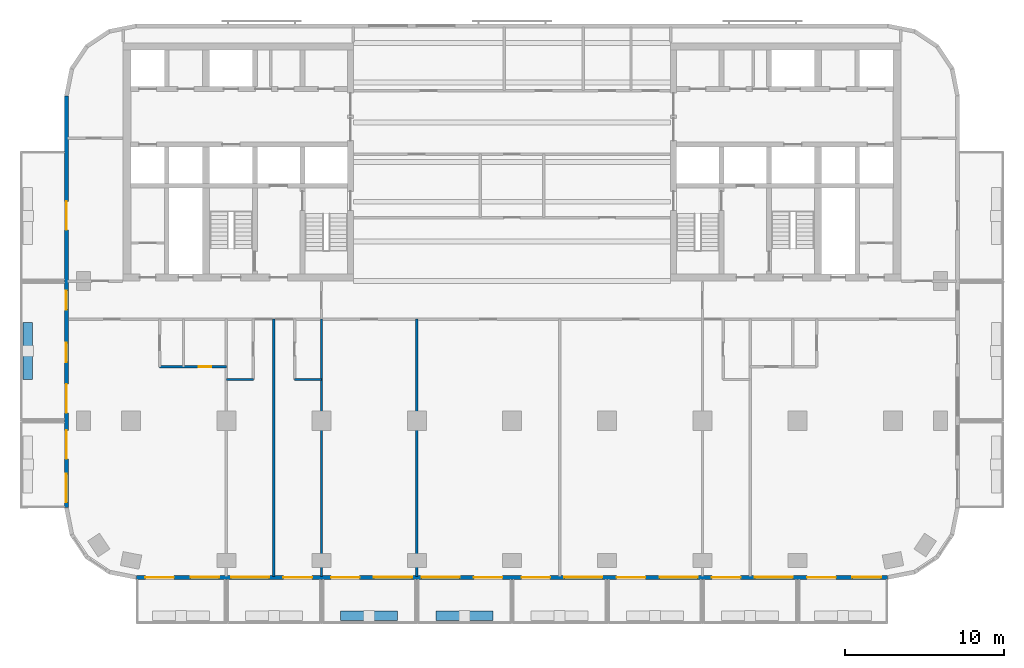
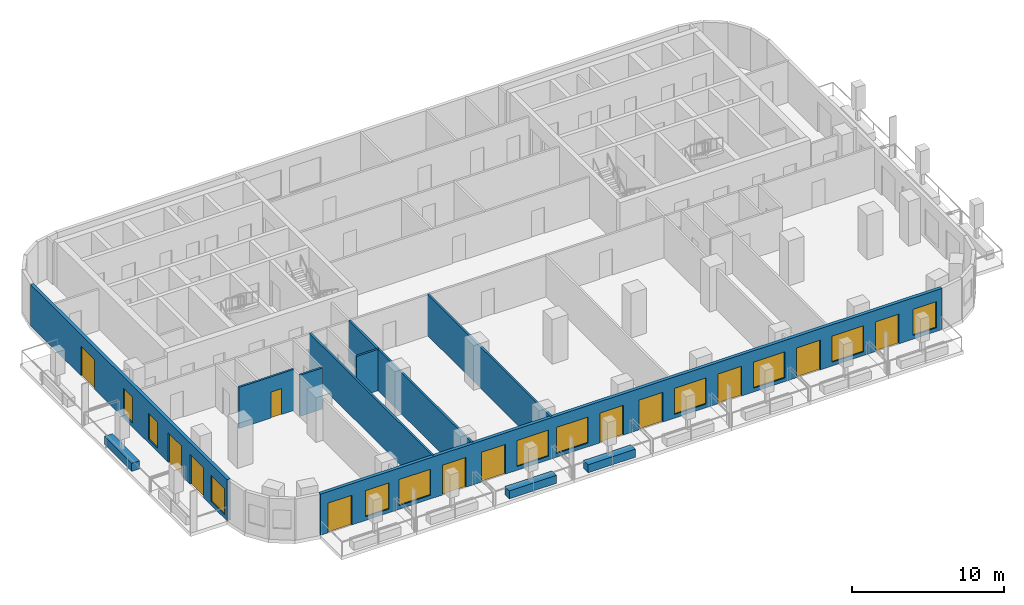
# One storey, part 2 of 11: 12 doors, 11 walls, 11 windows, 23 openings.
"""IFC4 building model written with IfcOpenShell, lengths in metres."""

from ifc_helpers import new_model, si_unit, direction, frame, frame_2d, origin, place, context, subcontext, project, spatial, rectangle, extrude, material, layer, layer_set, type_object, element, fill, save


model = new_model("IFC4")

# Units and contexts
model_context = context("Model", 3, precision=1e-05, world=origin(), true_north=direction((0.0, 1.0)))
body_context = subcontext(model_context, "Body", "Model", "MODEL_VIEW")
ifc_project = project(units=[si_unit("LENGTHUNIT", "METRE"), si_unit("AREAUNIT", "SQUARE_METRE"), si_unit("VOLUMEUNIT", "CUBIC_METRE"), si_unit("PLANEANGLEUNIT", "RADIAN"), si_unit("MASSUNIT", "GRAM", prefix="KILO")], contexts=[model_context])

# Site, building, storey
site_placement = place(None, origin())
site = spatial("IfcSite", under=ifc_project, at=site_placement, CompositionType="ELEMENT")
building_placement = place(site_placement, origin())
building = spatial("IfcBuilding", under=site, at=building_placement, Name="Torana Hotel and Residences", CompositionType="ELEMENT")
storey_placement = place(building_placement, frame((0.0, 0.0, 134.39990234375)))
storey = spatial("IfcBuildingStorey", under=building, at=storey_placement, Name="L34", CompositionType="ELEMENT", Elevation=134.39990234375)

# Wall, openings, doors, windows
ifc_material_1 = material(Name="Black aluminium composite panel", Category="aluminium")
ifc_layer_1 = layer(ifc_material_1, 0.00390625, Name="Cladding", Category="cladding")
ifc_material_2 = material(Name="Ventilated air cavity")
ifc_layer_2 = layer(ifc_material_2, 0.0400390625, Name="Ventilated cavity", Category="cavity")
ifc_material_3 = material(Name="Mineral wool insulation")
ifc_layer_3 = layer(ifc_material_3, 0.090087890625, Name="Insulation", Category="insulation")
ifc_material_4 = material(Name="Steel S280GD", Category="steel")
ifc_layer_4 = layer(ifc_material_4, 0.092041015625, Name="Steel stud frame", Category="structure")
ifc_material_5 = material(Name="Fire rated plasterboard")
ifc_layer_5 = layer(ifc_material_5, 0.011962890625, Name="Inner board", Category="finish")
ifc_layer_6 = layer(ifc_material_5, 0.011962890625, Name="Second board", Category="finish")
ifc_layer_set_1 = layer_set([ifc_layer_1, ifc_layer_2, ifc_layer_3, ifc_layer_4, ifc_layer_5, ifc_layer_6], Name="EW1 EXTERNAL WALL BLACK METAL CLAD 250")
wall_type_1 = type_object("IfcWallType", Name="EW1 EXTERNAL WALL BLACK METAL CLAD 250", PredefinedType="SOLIDWALL", material=ifc_layer_set_1)
wall_1_placement = place(storey_placement, frame((-28.074951171875, -3.32470703125, 0.0), z_axis=(0.0, 0.0, 1.0), x_axis=(0.0, -1.0, 0.0)))
wall_1 = element("IfcWall", 1, at=wall_1_placement, inside=storey, type_object=wall_type_1, Name="External wall L34 e0.9", PredefinedType="SOLIDWALL", context=body_context, shape_type="SweptSolid", body=[
    extrude(rectangle(XDim=25.95068359375, YDim=0.25, at=frame_2d((12.975341796875, 0.0))), origin(), (0.0, 0.0, 1.0), 3.320068359375),
])
opening_1_placement = place(wall_1_placement, frame((6.650390625, 0.0, 0.0)))
opening_1 = element("IfcOpeningElement", 2, at=opening_1_placement, cuts=wall_1, Name="Opening L34-E12", PredefinedType="OPENING", context=body_context, shape_type="SweptSolid", body=[
    extrude(rectangle(XDim=1.800048828125, YDim=2.39990234375, at=frame_2d((0.89990234375, 1.199951171875))), frame((0.0, 0.135009765625, 0.0), z_axis=(0.0, -1.0, 0.0), x_axis=(1.0, 0.0, 0.0)), (0.0, 0.0, 1.0), 0.27001953125),
])
opening_2_placement = place(wall_1_placement, frame((12.275390625, 0.0, 0.300048828125)))
opening_2 = element("IfcOpeningElement", 3, at=opening_2_placement, cuts=wall_1, Name="Opening W7", PredefinedType="OPENING", context=body_context, shape_type="SweptSolid", body=[
    extrude(rectangle(XDim=1.199951171875, YDim=2.10009765625, at=frame_2d((0.60009765625, 1.050048828125))), frame((0.0, 0.135009765625, 0.0), z_axis=(0.0, -1.0, 0.0), x_axis=(1.0, 0.0, 0.0)), (0.0, 0.0, 1.0), 0.27001953125),
])
opening_3_placement = place(wall_1_placement, frame((15.575439453125, 0.0, 0.300048828125)))
opening_3 = element("IfcOpeningElement", 4, at=opening_3_placement, cuts=wall_1, Name="Opening W7", PredefinedType="OPENING", context=body_context, shape_type="SweptSolid", body=[
    extrude(rectangle(XDim=1.199951171875, YDim=2.10009765625, at=frame_2d((0.60009765625, 1.050048828125))), frame((0.0, 0.135009765625, 0.0), z_axis=(0.0, -1.0, 0.0), x_axis=(1.0, 0.0, 0.0)), (0.0, 0.0, 1.0), 0.27001953125),
])
opening_4_placement = place(wall_1_placement, frame((18.17529296875, 0.0, 0.0)))
opening_4 = element("IfcOpeningElement", 5, at=opening_4_placement, cuts=wall_1, Name="Opening L34-E13", PredefinedType="OPENING", context=body_context, shape_type="SweptSolid", body=[
    extrude(rectangle(XDim=1.800048828125, YDim=2.39990234375, at=frame_2d((0.89990234375, 1.199951171875))), frame((0.0, 0.135009765625, 0.0), z_axis=(0.0, -1.0, 0.0), x_axis=(1.0, 0.0, 0.0)), (0.0, 0.0, 1.0), 0.27001953125),
])
opening_5_placement = place(wall_1_placement, frame((21.075439453125, 0.0, 0.0)))
opening_5 = element("IfcOpeningElement", 6, at=opening_5_placement, cuts=wall_1, Name="Opening L34-E14", PredefinedType="OPENING", context=body_context, shape_type="SweptSolid", body=[
    extrude(rectangle(XDim=1.800048828125, YDim=2.39990234375, at=frame_2d((0.89990234375, 1.199951171875))), frame((0.0, 0.135009765625, 0.0), z_axis=(0.0, -1.0, 0.0), x_axis=(1.0, 0.0, 0.0)), (0.0, 0.0, 1.0), 0.27001953125),
])
opening_6_placement = place(wall_1_placement, frame((23.825439453125, 0.0, 0.300048828125)))
opening_6 = element("IfcOpeningElement", 7, at=opening_6_placement, cuts=wall_1, Name="Opening W2", PredefinedType="OPENING", context=body_context, shape_type="SweptSolid", body=[
    extrude(rectangle(XDim=1.800048828125, YDim=2.10009765625, at=frame_2d((0.89990234375, 1.050048828125))), frame((0.0, 0.135009765625, 0.0), z_axis=(0.0, -1.0, 0.0), x_axis=(1.0, 0.0, 0.0)), (0.0, 0.0, 1.0), 0.27001953125),
])
ifc_material_6 = material(Name="Dark glass in black aluminium frame", Category="aluminium")
door_type_1 = type_object("IfcDoorType", Name="DB1 BALCONY DOOR 1800x2400", OperationType="DOUBLE_DOOR_SINGLE_SWING", PredefinedType="DOOR", material=ifc_material_6)
door_1_placement = place(opening_1_placement, origin())
door_1 = element("IfcDoor", 8, at=door_1_placement, inside=storey, type_object=door_type_1, Name="Balcony door L34", OperationType="DOUBLE_DOOR_SINGLE_SWING", OverallHeight=2.39990234375, OverallWidth=1.800048828125, PredefinedType="DOOR", context=body_context, shape_type="SweptSolid", body=[
    extrude(rectangle(XDim=1.800048828125, YDim=2.39990234375, at=frame_2d((0.89990234375, 1.199951171875))), frame((0.0, 0.02490234375, 0.0), z_axis=(0.0, -1.0, 0.0), x_axis=(1.0, 0.0, 0.0)), (0.0, 0.0, 1.0), 0.050048828125),
])
fill(opening_1, door_1)
door_2_placement = place(opening_4_placement, frame((0.89990234375, 0.0, 0.0), z_axis=(0.0, 0.0, 1.0), x_axis=(-1.0, 0.0, 0.0)))
door_2 = element("IfcDoor", 9, at=door_2_placement, inside=storey, type_object=door_type_1, Name="Balcony door L34", OperationType="DOUBLE_DOOR_SINGLE_SWING", OverallHeight=2.39990234375, OverallWidth=1.800048828125, PredefinedType="DOOR", context=body_context, shape_type="SweptSolid", body=[
    extrude(rectangle(XDim=1.800048828125, YDim=2.39990234375, at=frame_2d((0.0, 1.199951171875))), frame((0.0, -0.02490234375, 0.0), z_axis=(0.0, 1.0, 0.0), x_axis=(-1.0, 0.0, 0.0)), (0.0, 0.0, 1.0), 0.050048828125),
])
fill(opening_4, door_2)
door_3_placement = place(opening_5_placement, origin())
door_3 = element("IfcDoor", 10, at=door_3_placement, inside=storey, type_object=door_type_1, Name="Balcony door L34", OperationType="DOUBLE_DOOR_SINGLE_SWING", OverallHeight=2.39990234375, OverallWidth=1.800048828125, PredefinedType="DOOR", context=body_context, shape_type="SweptSolid", body=[
    extrude(rectangle(XDim=1.800048828125, YDim=2.39990234375, at=frame_2d((0.89990234375, 1.199951171875))), frame((0.0, 0.02490234375, 0.0), z_axis=(0.0, -1.0, 0.0), x_axis=(1.0, 0.0, 0.0)), (0.0, 0.0, 1.0), 0.050048828125),
])
fill(opening_5, door_3)
ifc_material_7 = material(Name="Dark glass in black aluminium frame", Category="aluminium")
window_type_1 = type_object("IfcWindowType", Name="W2 HOTEL ROOM WINDOW NARROW 1800x2100", PartitioningType="SINGLE_PANEL", PredefinedType="WINDOW", material=ifc_material_7)
window_1_placement = place(opening_6_placement, origin())
window_1 = element("IfcWindow", 11, at=window_1_placement, inside=storey, type_object=window_type_1, Name="Window L34", OverallHeight=2.10009765625, OverallWidth=1.800048828125, PartitioningType="SINGLE_PANEL", PredefinedType="WINDOW", context=body_context, shape_type="SweptSolid", body=[
    extrude(rectangle(XDim=1.800048828125, YDim=2.10009765625, at=frame_2d((0.89990234375, 1.050048828125))), frame((0.0, 0.030029296875, 0.0), z_axis=(0.0, -1.0, 0.0), x_axis=(1.0, 0.0, 0.0)), (0.0, 0.0, 1.0), 0.06005859375),
])
fill(opening_6, window_1)
ifc_material_8 = material(Name="Dark glass in black aluminium frame", Category="aluminium")
window_type_2 = type_object("IfcWindowType", Name="W7 HOTEL CORRIDOR WINDOW 1200x2100", PartitioningType="SINGLE_PANEL", PredefinedType="WINDOW", material=ifc_material_8)
window_2_placement = place(opening_2_placement, origin())
window_2 = element("IfcWindow", 12, at=window_2_placement, inside=storey, type_object=window_type_2, Name="Window L34", OverallHeight=2.10009765625, OverallWidth=1.199951171875, PartitioningType="SINGLE_PANEL", PredefinedType="WINDOW", context=body_context, shape_type="SweptSolid", body=[
    extrude(rectangle(XDim=1.199951171875, YDim=2.10009765625, at=frame_2d((0.60009765625, 1.050048828125))), frame((0.0, 0.030029296875, 0.0), z_axis=(0.0, -1.0, 0.0), x_axis=(1.0, 0.0, 0.0)), (0.0, 0.0, 1.0), 0.06005859375),
])
fill(opening_2, window_2)
window_3_placement = place(opening_3_placement, origin())
window_3 = element("IfcWindow", 13, at=window_3_placement, inside=storey, type_object=window_type_2, Name="Window L34", OverallHeight=2.10009765625, OverallWidth=1.199951171875, PartitioningType="SINGLE_PANEL", PredefinedType="WINDOW", context=body_context, shape_type="SweptSolid", body=[
    extrude(rectangle(XDim=1.199951171875, YDim=2.10009765625, at=frame_2d((0.60009765625, 1.050048828125))), frame((0.0, 0.030029296875, 0.0), z_axis=(0.0, -1.0, 0.0), x_axis=(1.0, 0.0, 0.0)), (0.0, 0.0, 1.0), 0.06005859375),
])
fill(opening_3, window_3)

wall_2_placement = place(storey_placement, frame((-23.67529296875, -33.675048828125, 0.0), z_axis=(0.0, 0.0, 1.0), x_axis=(1.0, 0.0, 0.0)))
wall_2 = element("IfcWall", 14, at=wall_2_placement, inside=storey, type_object=wall_type_1, Name="External wall L34 e0.14", PredefinedType="SOLIDWALL", context=body_context, shape_type="SweptSolid", body=[
    extrude(rectangle(XDim=47.3505859375, YDim=0.25, at=frame_2d((23.67529296875, 0.0))), origin(), (0.0, 0.0, 1.0), 3.320068359375),
])
opening_7_placement = place(wall_2_placement, frame((0.575439453125, 0.0, 0.0)))
opening_7 = element("IfcOpeningElement", 15, at=opening_7_placement, cuts=wall_2, Name="Opening L34-E01", PredefinedType="OPENING", context=body_context, shape_type="SweptSolid", body=[
    extrude(rectangle(XDim=1.800048828125, YDim=2.39990234375, at=frame_2d((0.89990234375, 1.199951171875))), frame((0.0, 0.135009765625, 0.0), z_axis=(0.0, -1.0, 0.0), x_axis=(1.0, 0.0, 0.0)), (0.0, 0.0, 1.0), 0.27001953125),
])
opening_8_placement = place(wall_2_placement, frame((3.42529296875, 0.0, 0.300048828125)))
opening_8 = element("IfcOpeningElement", 16, at=opening_8_placement, cuts=wall_2, Name="Opening W2", PredefinedType="OPENING", context=body_context, shape_type="SweptSolid", body=[
    extrude(rectangle(XDim=1.800048828125, YDim=2.10009765625, at=frame_2d((0.89990234375, 1.050048828125))), frame((0.0, 0.135009765625, 0.0), z_axis=(0.0, -1.0, 0.0), x_axis=(1.0, 0.0, 0.0)), (0.0, 0.0, 1.0), 0.27001953125),
])
opening_9_placement = place(wall_2_placement, frame((5.975341796875, 0.0, 0.300048828125)))
opening_9 = element("IfcOpeningElement", 17, at=opening_9_placement, cuts=wall_2, Name="Opening W1", PredefinedType="OPENING", context=body_context, shape_type="SweptSolid", body=[
    extrude(rectangle(XDim=2.39990234375, YDim=2.10009765625, at=frame_2d((1.199951171875, 1.050048828125))), frame((0.0, 0.135009765625, 0.0), z_axis=(0.0, -1.0, 0.0), x_axis=(1.0, 0.0, 0.0)), (0.0, 0.0, 1.0), 0.27001953125),
])
opening_10_placement = place(wall_2_placement, frame((9.275390625, 0.0, 0.0)))
opening_10 = element("IfcOpeningElement", 18, at=opening_10_placement, cuts=wall_2, Name="Opening L34-E02", PredefinedType="OPENING", context=body_context, shape_type="SweptSolid", body=[
    extrude(rectangle(XDim=1.800048828125, YDim=2.39990234375, at=frame_2d((0.89990234375, 1.199951171875))), frame((0.0, 0.135009765625, 0.0), z_axis=(0.0, -1.0, 0.0), x_axis=(1.0, 0.0, 0.0)), (0.0, 0.0, 1.0), 0.27001953125),
])
opening_11_placement = place(wall_2_placement, frame((12.275390625, 0.0, 0.0)))
opening_11 = element("IfcOpeningElement", 19, at=opening_11_placement, cuts=wall_2, Name="Opening L34-E03", PredefinedType="OPENING", context=body_context, shape_type="SweptSolid", body=[
    extrude(rectangle(XDim=1.800048828125, YDim=2.39990234375, at=frame_2d((0.89990234375, 1.199951171875))), frame((0.0, 0.135009765625, 0.0), z_axis=(0.0, -1.0, 0.0), x_axis=(1.0, 0.0, 0.0)), (0.0, 0.0, 1.0), 0.27001953125),
])
opening_12_placement = place(wall_2_placement, frame((14.975341796875, 0.0, 0.300048828125)))
opening_12 = element("IfcOpeningElement", 20, at=opening_12_placement, cuts=wall_2, Name="Opening W1", PredefinedType="OPENING", context=body_context, shape_type="SweptSolid", body=[
    extrude(rectangle(XDim=2.39990234375, YDim=2.10009765625, at=frame_2d((1.199951171875, 1.050048828125))), frame((0.0, 0.135009765625, 0.0), z_axis=(0.0, -1.0, 0.0), x_axis=(1.0, 0.0, 0.0)), (0.0, 0.0, 1.0), 0.27001953125),
])
opening_13_placement = place(wall_2_placement, frame((17.975341796875, 0.0, 0.300048828125)))
opening_13 = element("IfcOpeningElement", 21, at=opening_13_placement, cuts=wall_2, Name="Opening W1", PredefinedType="OPENING", context=body_context, shape_type="SweptSolid", body=[
    extrude(rectangle(XDim=2.39990234375, YDim=2.10009765625, at=frame_2d((1.199951171875, 1.050048828125))), frame((0.0, 0.135009765625, 0.0), z_axis=(0.0, -1.0, 0.0), x_axis=(1.0, 0.0, 0.0)), (0.0, 0.0, 1.0), 0.27001953125),
])
opening_14_placement = place(wall_2_placement, frame((21.275390625, 0.0, 0.0)))
opening_14 = element("IfcOpeningElement", 22, at=opening_14_placement, cuts=wall_2, Name="Opening L34-E04", PredefinedType="OPENING", context=body_context, shape_type="SweptSolid", body=[
    extrude(rectangle(XDim=1.800048828125, YDim=2.39990234375, at=frame_2d((0.89990234375, 1.199951171875))), frame((0.0, 0.135009765625, 0.0), z_axis=(0.0, -1.0, 0.0), x_axis=(1.0, 0.0, 0.0)), (0.0, 0.0, 1.0), 0.27001953125),
])
opening_15_placement = place(wall_2_placement, frame((24.275390625, 0.0, 0.0)))
opening_15 = element("IfcOpeningElement", 23, at=opening_15_placement, cuts=wall_2, Name="Opening L34-E05", PredefinedType="OPENING", context=body_context, shape_type="SweptSolid", body=[
    extrude(rectangle(XDim=1.800048828125, YDim=2.39990234375, at=frame_2d((0.89990234375, 1.199951171875))), frame((0.0, 0.135009765625, 0.0), z_axis=(0.0, -1.0, 0.0), x_axis=(1.0, 0.0, 0.0)), (0.0, 0.0, 1.0), 0.27001953125),
])
opening_16_placement = place(wall_2_placement, frame((26.975341796875, 0.0, 0.300048828125)))
opening_16 = element("IfcOpeningElement", 24, at=opening_16_placement, cuts=wall_2, Name="Opening W1", PredefinedType="OPENING", context=body_context, shape_type="SweptSolid", body=[
    extrude(rectangle(XDim=2.39990234375, YDim=2.10009765625, at=frame_2d((1.199951171875, 1.050048828125))), frame((0.0, 0.135009765625, 0.0), z_axis=(0.0, -1.0, 0.0), x_axis=(1.0, 0.0, 0.0)), (0.0, 0.0, 1.0), 0.27001953125),
])
opening_17_placement = place(wall_2_placement, frame((30.275390625, 0.0, 0.0)))
opening_17 = element("IfcOpeningElement", 25, at=opening_17_placement, cuts=wall_2, Name="Opening L34-E06", PredefinedType="OPENING", context=body_context, shape_type="SweptSolid", body=[
    extrude(rectangle(XDim=1.800048828125, YDim=2.39990234375, at=frame_2d((0.89990234375, 1.199951171875))), frame((0.0, 0.135009765625, 0.0), z_axis=(0.0, -1.0, 0.0), x_axis=(1.0, 0.0, 0.0)), (0.0, 0.0, 1.0), 0.27001953125),
])
opening_18_placement = place(wall_2_placement, frame((32.975341796875, 0.0, 0.300048828125)))
opening_18 = element("IfcOpeningElement", 26, at=opening_18_placement, cuts=wall_2, Name="Opening W1", PredefinedType="OPENING", context=body_context, shape_type="SweptSolid", body=[
    extrude(rectangle(XDim=2.39990234375, YDim=2.10009765625, at=frame_2d((1.199951171875, 1.050048828125))), frame((0.0, 0.135009765625, 0.0), z_axis=(0.0, -1.0, 0.0), x_axis=(1.0, 0.0, 0.0)), (0.0, 0.0, 1.0), 0.27001953125),
])
opening_19_placement = place(wall_2_placement, frame((36.275390625, 0.0, 0.0)))
opening_19 = element("IfcOpeningElement", 27, at=opening_19_placement, cuts=wall_2, Name="Opening L34-E07", PredefinedType="OPENING", context=body_context, shape_type="SweptSolid", body=[
    extrude(rectangle(XDim=1.800048828125, YDim=2.39990234375, at=frame_2d((0.89990234375, 1.199951171875))), frame((0.0, 0.135009765625, 0.0), z_axis=(0.0, -1.0, 0.0), x_axis=(1.0, 0.0, 0.0)), (0.0, 0.0, 1.0), 0.27001953125),
])
opening_20_placement = place(wall_2_placement, frame((38.975341796875, 0.0, 0.300048828125)))
opening_20 = element("IfcOpeningElement", 28, at=opening_20_placement, cuts=wall_2, Name="Opening W1", PredefinedType="OPENING", context=body_context, shape_type="SweptSolid", body=[
    extrude(rectangle(XDim=2.39990234375, YDim=2.10009765625, at=frame_2d((1.199951171875, 1.050048828125))), frame((0.0, 0.135009765625, 0.0), z_axis=(0.0, -1.0, 0.0), x_axis=(1.0, 0.0, 0.0)), (0.0, 0.0, 1.0), 0.27001953125),
])
opening_21_placement = place(wall_2_placement, frame((42.275390625, 0.0, 0.0)))
opening_21 = element("IfcOpeningElement", 29, at=opening_21_placement, cuts=wall_2, Name="Opening L34-E08", PredefinedType="OPENING", context=body_context, shape_type="SweptSolid", body=[
    extrude(rectangle(XDim=1.800048828125, YDim=2.39990234375, at=frame_2d((0.89990234375, 1.199951171875))), frame((0.0, 0.135009765625, 0.0), z_axis=(0.0, -1.0, 0.0), x_axis=(1.0, 0.0, 0.0)), (0.0, 0.0, 1.0), 0.27001953125),
])
opening_22_placement = place(wall_2_placement, frame((45.12548828125, 0.0, 0.300048828125)))
opening_22 = element("IfcOpeningElement", 30, at=opening_22_placement, cuts=wall_2, Name="Opening W2", PredefinedType="OPENING", context=body_context, shape_type="SweptSolid", body=[
    extrude(rectangle(XDim=1.800048828125, YDim=2.10009765625, at=frame_2d((0.89990234375, 1.050048828125))), frame((0.0, 0.135009765625, 0.0), z_axis=(0.0, -1.0, 0.0), x_axis=(1.0, 0.0, 0.0)), (0.0, 0.0, 1.0), 0.27001953125),
])
door_4_placement = place(opening_7_placement, origin())
door_4 = element("IfcDoor", 31, at=door_4_placement, inside=storey, type_object=door_type_1, Name="Balcony door L34", OperationType="DOUBLE_DOOR_SINGLE_SWING", OverallHeight=2.39990234375, OverallWidth=1.800048828125, PredefinedType="DOOR", context=body_context, shape_type="SweptSolid", body=[
    extrude(rectangle(XDim=1.800048828125, YDim=2.39990234375, at=frame_2d((0.89990234375, 1.199951171875))), frame((0.0, 0.02490234375, 0.0), z_axis=(0.0, -1.0, 0.0), x_axis=(1.0, 0.0, 0.0)), (0.0, 0.0, 1.0), 0.050048828125),
])
fill(opening_7, door_4)
door_5_placement = place(opening_10_placement, origin())
door_5 = element("IfcDoor", 32, at=door_5_placement, inside=storey, type_object=door_type_1, Name="Balcony door L34", OperationType="DOUBLE_DOOR_SINGLE_SWING", OverallHeight=2.39990234375, OverallWidth=1.800048828125, PredefinedType="DOOR", context=body_context, shape_type="SweptSolid", body=[
    extrude(rectangle(XDim=1.800048828125, YDim=2.39990234375, at=frame_2d((0.89990234375, 1.199951171875))), frame((0.0, 0.02490234375, 0.0), z_axis=(0.0, -1.0, 0.0), x_axis=(1.0, 0.0, 0.0)), (0.0, 0.0, 1.0), 0.050048828125),
])
fill(opening_10, door_5)
door_6_placement = place(opening_11_placement, origin())
door_6 = element("IfcDoor", 33, at=door_6_placement, inside=storey, type_object=door_type_1, Name="Balcony door L34", OperationType="DOUBLE_DOOR_SINGLE_SWING", OverallHeight=2.39990234375, OverallWidth=1.800048828125, PredefinedType="DOOR", context=body_context, shape_type="SweptSolid", body=[
    extrude(rectangle(XDim=1.800048828125, YDim=2.39990234375, at=frame_2d((0.89990234375, 1.199951171875))), frame((0.0, 0.02490234375, 0.0), z_axis=(0.0, -1.0, 0.0), x_axis=(1.0, 0.0, 0.0)), (0.0, 0.0, 1.0), 0.050048828125),
])
fill(opening_11, door_6)
door_7_placement = place(opening_14_placement, origin())
door_7 = element("IfcDoor", 34, at=door_7_placement, inside=storey, type_object=door_type_1, Name="Balcony door L34", OperationType="DOUBLE_DOOR_SINGLE_SWING", OverallHeight=2.39990234375, OverallWidth=1.800048828125, PredefinedType="DOOR", context=body_context, shape_type="SweptSolid", body=[
    extrude(rectangle(XDim=1.800048828125, YDim=2.39990234375, at=frame_2d((0.89990234375, 1.199951171875))), frame((0.0, 0.02490234375, 0.0), z_axis=(0.0, -1.0, 0.0), x_axis=(1.0, 0.0, 0.0)), (0.0, 0.0, 1.0), 0.050048828125),
])
fill(opening_14, door_7)
door_8_placement = place(opening_15_placement, origin())
door_8 = element("IfcDoor", 35, at=door_8_placement, inside=storey, type_object=door_type_1, Name="Balcony door L34", OperationType="DOUBLE_DOOR_SINGLE_SWING", OverallHeight=2.39990234375, OverallWidth=1.800048828125, PredefinedType="DOOR", context=body_context, shape_type="SweptSolid", body=[
    extrude(rectangle(XDim=1.800048828125, YDim=2.39990234375, at=frame_2d((0.89990234375, 1.199951171875))), frame((0.0, 0.02490234375, 0.0), z_axis=(0.0, -1.0, 0.0), x_axis=(1.0, 0.0, 0.0)), (0.0, 0.0, 1.0), 0.050048828125),
])
fill(opening_15, door_8)
door_9_placement = place(opening_17_placement, origin())
door_9 = element("IfcDoor", 36, at=door_9_placement, inside=storey, type_object=door_type_1, Name="Balcony door L34", OperationType="DOUBLE_DOOR_SINGLE_SWING", OverallHeight=2.39990234375, OverallWidth=1.800048828125, PredefinedType="DOOR", context=body_context, shape_type="SweptSolid", body=[
    extrude(rectangle(XDim=1.800048828125, YDim=2.39990234375, at=frame_2d((0.89990234375, 1.199951171875))), frame((0.0, 0.02490234375, 0.0), z_axis=(0.0, -1.0, 0.0), x_axis=(1.0, 0.0, 0.0)), (0.0, 0.0, 1.0), 0.050048828125),
])
fill(opening_17, door_9)
door_10_placement = place(opening_19_placement, origin())
door_10 = element("IfcDoor", 37, at=door_10_placement, inside=storey, type_object=door_type_1, Name="Balcony door L34", OperationType="DOUBLE_DOOR_SINGLE_SWING", OverallHeight=2.39990234375, OverallWidth=1.800048828125, PredefinedType="DOOR", context=body_context, shape_type="SweptSolid", body=[
    extrude(rectangle(XDim=1.800048828125, YDim=2.39990234375, at=frame_2d((0.89990234375, 1.199951171875))), frame((0.0, 0.02490234375, 0.0), z_axis=(0.0, -1.0, 0.0), x_axis=(1.0, 0.0, 0.0)), (0.0, 0.0, 1.0), 0.050048828125),
])
fill(opening_19, door_10)
door_11_placement = place(opening_21_placement, origin())
door_11 = element("IfcDoor", 38, at=door_11_placement, inside=storey, type_object=door_type_1, Name="Balcony door L34", OperationType="DOUBLE_DOOR_SINGLE_SWING", OverallHeight=2.39990234375, OverallWidth=1.800048828125, PredefinedType="DOOR", context=body_context, shape_type="SweptSolid", body=[
    extrude(rectangle(XDim=1.800048828125, YDim=2.39990234375, at=frame_2d((0.89990234375, 1.199951171875))), frame((0.0, 0.02490234375, 0.0), z_axis=(0.0, -1.0, 0.0), x_axis=(1.0, 0.0, 0.0)), (0.0, 0.0, 1.0), 0.050048828125),
])
fill(opening_21, door_11)
ifc_material_9 = material(Name="Dark glass in black aluminium frame", Category="aluminium")
window_type_3 = type_object("IfcWindowType", Name="W1 HOTEL ROOM WINDOW 2400x2100", PartitioningType="SINGLE_PANEL", PredefinedType="WINDOW", material=ifc_material_9)
window_4_placement = place(opening_9_placement, origin())
window_4 = element("IfcWindow", 39, at=window_4_placement, inside=storey, type_object=window_type_3, Name="Window L34", OverallHeight=2.10009765625, OverallWidth=2.39990234375, PartitioningType="SINGLE_PANEL", PredefinedType="WINDOW", context=body_context, shape_type="SweptSolid", body=[
    extrude(rectangle(XDim=2.39990234375, YDim=2.10009765625, at=frame_2d((1.199951171875, 1.050048828125))), frame((0.0, 0.030029296875, 0.0), z_axis=(0.0, -1.0, 0.0), x_axis=(1.0, 0.0, 0.0)), (0.0, 0.0, 1.0), 0.06005859375),
])
fill(opening_9, window_4)
window_5_placement = place(opening_12_placement, origin())
window_5 = element("IfcWindow", 40, at=window_5_placement, inside=storey, type_object=window_type_3, Name="Window L34", OverallHeight=2.10009765625, OverallWidth=2.39990234375, PartitioningType="SINGLE_PANEL", PredefinedType="WINDOW", context=body_context, shape_type="SweptSolid", body=[
    extrude(rectangle(XDim=2.39990234375, YDim=2.10009765625, at=frame_2d((1.199951171875, 1.050048828125))), frame((0.0, 0.030029296875, 0.0), z_axis=(0.0, -1.0, 0.0), x_axis=(1.0, 0.0, 0.0)), (0.0, 0.0, 1.0), 0.06005859375),
])
fill(opening_12, window_5)
window_6_placement = place(opening_13_placement, origin())
window_6 = element("IfcWindow", 41, at=window_6_placement, inside=storey, type_object=window_type_3, Name="Window L34", OverallHeight=2.10009765625, OverallWidth=2.39990234375, PartitioningType="SINGLE_PANEL", PredefinedType="WINDOW", context=body_context, shape_type="SweptSolid", body=[
    extrude(rectangle(XDim=2.39990234375, YDim=2.10009765625, at=frame_2d((1.199951171875, 1.050048828125))), frame((0.0, 0.030029296875, 0.0), z_axis=(0.0, -1.0, 0.0), x_axis=(1.0, 0.0, 0.0)), (0.0, 0.0, 1.0), 0.06005859375),
])
fill(opening_13, window_6)
window_7_placement = place(opening_16_placement, origin())
window_7 = element("IfcWindow", 42, at=window_7_placement, inside=storey, type_object=window_type_3, Name="Window L34", OverallHeight=2.10009765625, OverallWidth=2.39990234375, PartitioningType="SINGLE_PANEL", PredefinedType="WINDOW", context=body_context, shape_type="SweptSolid", body=[
    extrude(rectangle(XDim=2.39990234375, YDim=2.10009765625, at=frame_2d((1.199951171875, 1.050048828125))), frame((0.0, 0.030029296875, 0.0), z_axis=(0.0, -1.0, 0.0), x_axis=(1.0, 0.0, 0.0)), (0.0, 0.0, 1.0), 0.06005859375),
])
fill(opening_16, window_7)
window_8_placement = place(opening_18_placement, origin())
window_8 = element("IfcWindow", 43, at=window_8_placement, inside=storey, type_object=window_type_3, Name="Window L34", OverallHeight=2.10009765625, OverallWidth=2.39990234375, PartitioningType="SINGLE_PANEL", PredefinedType="WINDOW", context=body_context, shape_type="SweptSolid", body=[
    extrude(rectangle(XDim=2.39990234375, YDim=2.10009765625, at=frame_2d((1.199951171875, 1.050048828125))), frame((0.0, 0.030029296875, 0.0), z_axis=(0.0, -1.0, 0.0), x_axis=(1.0, 0.0, 0.0)), (0.0, 0.0, 1.0), 0.06005859375),
])
fill(opening_18, window_8)
window_9_placement = place(opening_20_placement, origin())
window_9 = element("IfcWindow", 44, at=window_9_placement, inside=storey, type_object=window_type_3, Name="Window L34", OverallHeight=2.10009765625, OverallWidth=2.39990234375, PartitioningType="SINGLE_PANEL", PredefinedType="WINDOW", context=body_context, shape_type="SweptSolid", body=[
    extrude(rectangle(XDim=2.39990234375, YDim=2.10009765625, at=frame_2d((1.199951171875, 1.050048828125))), frame((0.0, 0.030029296875, 0.0), z_axis=(0.0, -1.0, 0.0), x_axis=(1.0, 0.0, 0.0)), (0.0, 0.0, 1.0), 0.06005859375),
])
fill(opening_20, window_9)
window_10_placement = place(opening_8_placement, origin())
window_10 = element("IfcWindow", 45, at=window_10_placement, inside=storey, type_object=window_type_1, Name="Window L34", OverallHeight=2.10009765625, OverallWidth=1.800048828125, PartitioningType="SINGLE_PANEL", PredefinedType="WINDOW", context=body_context, shape_type="SweptSolid", body=[
    extrude(rectangle(XDim=1.800048828125, YDim=2.10009765625, at=frame_2d((0.89990234375, 1.050048828125))), frame((0.0, 0.030029296875, 0.0), z_axis=(0.0, -1.0, 0.0), x_axis=(1.0, 0.0, 0.0)), (0.0, 0.0, 1.0), 0.06005859375),
])
fill(opening_8, window_10)
window_11_placement = place(opening_22_placement, origin())
window_11 = element("IfcWindow", 46, at=window_11_placement, inside=storey, type_object=window_type_1, Name="Window L34", OverallHeight=2.10009765625, OverallWidth=1.800048828125, PartitioningType="SINGLE_PANEL", PredefinedType="WINDOW", context=body_context, shape_type="SweptSolid", body=[
    extrude(rectangle(XDim=1.800048828125, YDim=2.10009765625, at=frame_2d((0.89990234375, 1.050048828125))), frame((0.0, 0.030029296875, 0.0), z_axis=(0.0, -1.0, 0.0), x_axis=(1.0, 0.0, 0.0)), (0.0, 0.0, 1.0), 0.06005859375),
])
fill(opening_22, window_11)

# Walls
ifc_material_10 = material(Name="Gypsum plasterboard")
ifc_layer_7 = layer(ifc_material_10, 0.012451171875, Name="Plasterboard", Category="finish")
ifc_layer_8 = layer(ifc_material_10, 0.012451171875, Name="Plasterboard", Category="finish")
ifc_layer_9 = layer(ifc_material_4, 0.10009765625, Name="Steel studs with mineral wool", Category="insulation")
ifc_layer_10 = layer(ifc_material_10, 0.012451171875, Name="Plasterboard", Category="finish")
ifc_layer_11 = layer(ifc_material_10, 0.012451171875, Name="Plasterboard", Category="finish")
ifc_layer_set_2 = layer_set([ifc_layer_7, ifc_layer_8, ifc_layer_9, ifc_layer_10, ifc_layer_11], Name="PARTITION 150 PLASTERBOARD")
wall_type_2 = type_object("IfcWallType", Name="PARTITION 150 PLASTERBOARD", PredefinedType="PARTITIONING", material=ifc_layer_set_2)
for number, where, z_axis, x_axis, name in (
    (47, (-6.0, -33.6201171875, 0.0), (0.0, 0.0, 1.0), (0.0, 1.0, 0.0), "Partition L34"),
    (48, (-12.0, -33.6201171875, 0.0), (0.0, 0.0, 1.0), (0.0, 1.0, 0.0), "Partition L34"),
    (49, (-15.0, -33.6201171875, 0.0), (0.0, 0.0, 1.0), (0.0, 1.0, 0.0), "Partition L34"),
):
    element("IfcWall", number, at=place(storey_placement, frame(where, z_axis=z_axis, x_axis=x_axis)), inside=storey, type_object=wall_type_2, Name=name, PredefinedType="PARTITIONING", context=body_context, shape_type="SweptSolid", body=[
        extrude(rectangle(XDim=16.22021484375, YDim=0.14990234375, at=frame_2d((8.110107421875, 0.0))), origin(), (0.0, 0.0, 1.0), 3.320068359375),
    ])
for number, where, z_axis, x_axis, name in (
    (50, (-18.0, -21.199951171875, 0.0), (0.0, 0.0, 1.0), (1.0, 0.0, 0.0), "Partition L34"),
    (51, (-13.699951171875, -21.199951171875, 0.0), (0.0, 0.0, 1.0), (1.0, 0.0, 0.0), "Partition L34"),
):
    element("IfcWall", number, at=place(storey_placement, frame(where, z_axis=z_axis, x_axis=x_axis)), inside=storey, type_object=wall_type_2, Name=name, PredefinedType="PARTITIONING", context=body_context, shape_type="SweptSolid", body=[
        extrude(rectangle(XDim=1.699951171875, YDim=0.14990234375, at=frame_2d((0.85009765625, 0.0))), origin(), (0.0, 0.0, 1.0), 3.320068359375),
    ])

# Wall, opening, door
wall_3_placement = place(storey_placement, frame((-22.199951171875, -20.39990234375, 0.0), z_axis=(0.0, 0.0, 1.0), x_axis=(1.0, 0.0, 0.0)))
wall_3 = element("IfcWall", 52, at=wall_3_placement, inside=storey, type_object=wall_type_2, Name="Partition L34", PredefinedType="PARTITIONING", context=body_context, shape_type="SweptSolid", body=[
    extrude(rectangle(XDim=4.199951171875, YDim=0.14990234375, at=frame_2d((2.10009765625, 0.0))), origin(), (0.0, 0.0, 1.0), 3.320068359375),
])
opening_23_placement = place(wall_3_placement, frame((2.449951171875, 0.0, 0.0)))
opening_23 = element("IfcOpeningElement", 53, at=opening_23_placement, cuts=wall_3, Name="Opening L34-54", PredefinedType="OPENING", context=body_context, shape_type="SweptSolid", body=[
    extrude(rectangle(XDim=0.800048828125, YDim=2.10009765625, at=frame_2d((0.39990234375, 1.050048828125))), frame((0.0, 0.0849609375, 0.0), z_axis=(0.0, -1.0, 0.0), x_axis=(1.0, 0.0, 0.0)), (0.0, 0.0, 1.0), 0.169921875),
])
ifc_material_11 = material(Name="Timber door, painted", Category="wood")
door_type_2 = type_object("IfcDoorType", Name="BATH DOOR D13 800x2100", OperationType="SINGLE_SWING_LEFT", PredefinedType="DOOR", material=ifc_material_11)
door_12_placement = place(opening_23_placement, origin())
door_12 = element("IfcDoor", 54, at=door_12_placement, inside=storey, type_object=door_type_2, Name="Door L34", OperationType="SINGLE_SWING_RIGHT", OverallHeight=2.10009765625, OverallWidth=0.800048828125, PredefinedType="DOOR", context=body_context, shape_type="SweptSolid", body=[
    extrude(rectangle(XDim=0.800048828125, YDim=2.10009765625, at=frame_2d((0.39990234375, 1.050048828125))), frame((0.0, 0.02490234375, 0.0), z_axis=(0.0, -1.0, 0.0), x_axis=(1.0, 0.0, 0.0)), (0.0, 0.0, 1.0), 0.050048828125),
])
fill(opening_23, door_12)

# Walls
ifc_material_12 = material(Name="Concrete C40/50 precast", Category="concrete")
ifc_layer_12 = layer(ifc_material_12, 0.10009765625, Name="Planter shell", Category="structure")
ifc_material_13 = material(Name="Root resistant membrane")
ifc_layer_13 = layer(ifc_material_13, 0.00390625, Name="Waterproofing membrane", Category="membrane")
ifc_material_14 = material(Name="Drainage board with filter fleece")
ifc_layer_14 = layer(ifc_material_14, 0.02001953125, Name="Drainage board", Category="drainage")
ifc_material_15 = material(Name="Growing medium")
ifc_layer_15 = layer(ifc_material_15, 0.47607421875, Name="Planting substrate", Category="soil")
ifc_layer_set_3 = layer_set([ifc_layer_12, ifc_layer_13, ifc_layer_14, ifc_layer_15], Name="PL1 BALCONY PLANTER 600")
wall_type_3 = type_object("IfcWallType", Name="PL1 BALCONY PLANTER 600", PredefinedType="USERDEFINED", material=ifc_layer_set_3)
for number, where, z_axis, x_axis, name in (
    (55, (-7.199951171875, -36.10009765625, 0.0), (0.0, 0.0, 1.0), (-1.0, 0.0, 0.0), "Planter 03"),
    (56, (-1.199951171875, -36.10009765625, 0.0), (0.0, 0.0, 1.0), (-1.0, 0.0, 0.0), "Planter 04"),
):
    element("IfcWall", number, at=place(storey_placement, frame(where, z_axis=z_axis, x_axis=x_axis)), inside=storey, type_object=wall_type_3, Name=name, ObjectType="PLANTER", PredefinedType="USERDEFINED", context=body_context, shape_type="SweptSolid", body=[
        extrude(rectangle(XDim=3.60009765625, YDim=0.60009765625, at=frame_2d((1.800048828125, 0.0))), origin(), (0.0, 0.0, 1.0), 0.650146484375),
    ])
wall_4_placement = place(storey_placement, frame((-30.5, -21.199951171875, 0.0), z_axis=(0.0, 0.0, 1.0), x_axis=(0.0, 1.0, 0.0)))
element("IfcWall", 57, at=wall_4_placement, inside=storey, type_object=wall_type_3, Name="Planter 10", ObjectType="PLANTER", PredefinedType="USERDEFINED", context=body_context, shape_type="SweptSolid", body=[
    extrude(rectangle(XDim=3.599853515625, YDim=0.60009765625, at=frame_2d((1.7998046875, 0.0))), origin(), (0.0, 0.0, 1.0), 0.650146484375),
])

save(model, "model.ifc")
